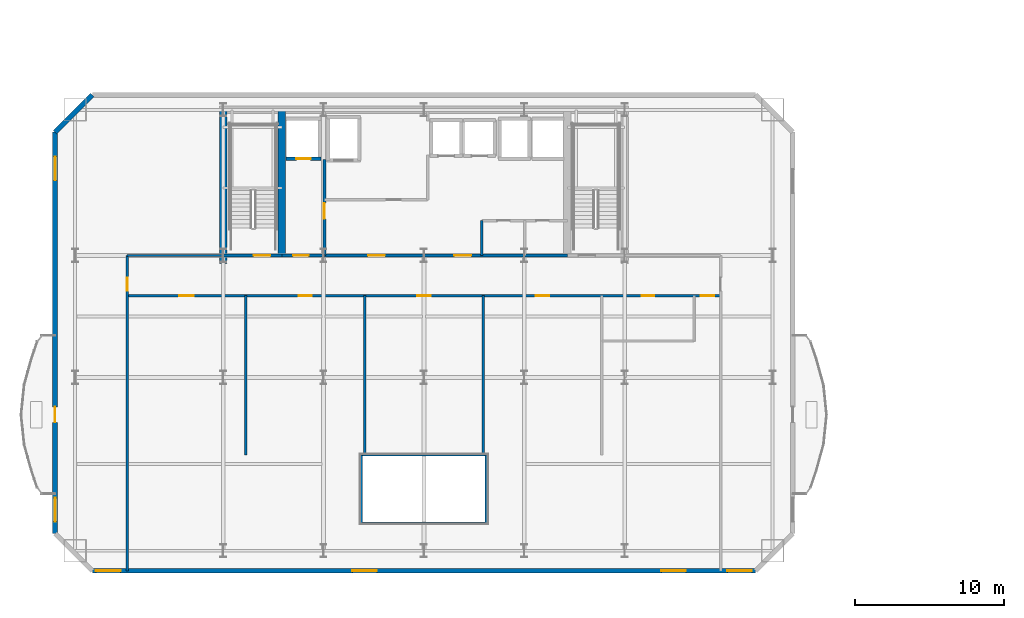
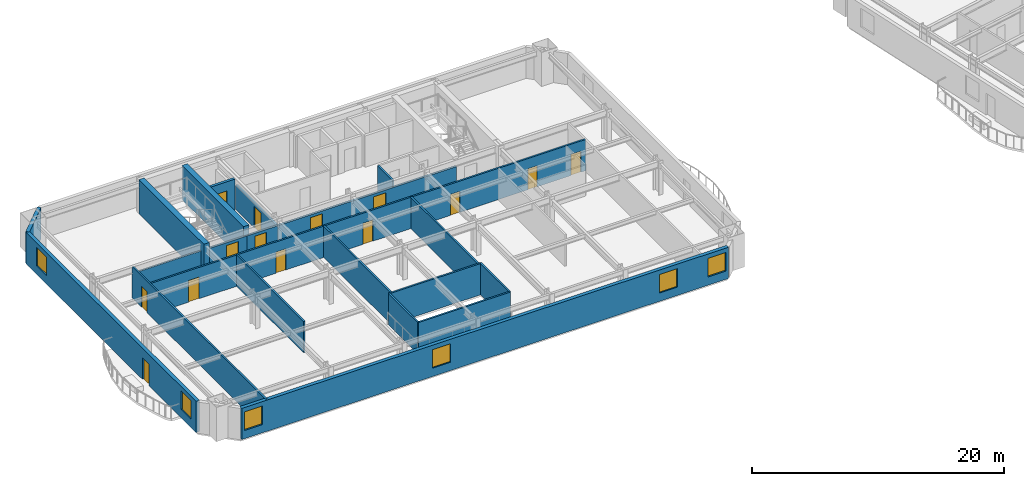
# One storey, part 5 of 14: 21 walls, 14 doors, 6 windows, 20 openings.
"""IFC4 building model written with IfcOpenShell, lengths in metres."""

from ifc_helpers import new_model, si_unit, direction, frame, frame_2d, origin, place, context, subcontext, project, spatial, rectangle, extrude, material, layer, layer_set, type_object, element, fill, save


model = new_model("IFC4")

# Units and contexts
model_context = context("Model", 3, precision=1e-05, world=origin(), true_north=direction((0.0, 1.0)))
body_context = subcontext(model_context, "Body", "Model", "MODEL_VIEW")
ifc_project = project(units=[si_unit("LENGTHUNIT", "METRE"), si_unit("AREAUNIT", "SQUARE_METRE"), si_unit("VOLUMEUNIT", "CUBIC_METRE"), si_unit("PLANEANGLEUNIT", "RADIAN"), si_unit("MASSUNIT", "GRAM", prefix="KILO")], contexts=[model_context])

# Site, building, storey
site_placement = place(None, origin())
site = spatial("IfcSite", under=ifc_project, at=site_placement, CompositionType="ELEMENT")
building_placement = place(site_placement, origin())
building = spatial("IfcBuilding", under=site, at=building_placement, Name="Haevon Station Towers", CompositionType="ELEMENT")
storey_placement = place(building_placement, frame((0.0, 0.0, 86.699951171875)))
storey = spatial("IfcBuildingStorey", under=building, at=storey_placement, Name="L22", CompositionType="ELEMENT", Elevation=86.699951171875)

# Wall, opening, door
ifc_material_1 = material(Name="Gypsum board on steel stud", Category="steel")
ifc_layer_1 = layer(ifc_material_1, 0.199951171875)
ifc_layer_set_1 = layer_set([ifc_layer_1], Name="Gypsum board on steel stud")
wall_type_1 = type_object("IfcWallType", Name="WL-COR200", PredefinedType="PARTITIONING", material=ifc_layer_set_1)
wall_1_placement = place(storey_placement, frame((24.0, 38.199951171875, 0.0), z_axis=(0.0, 0.0, 1.0), x_axis=(1.0, 0.0, 0.0)))
wall_1 = element("IfcWall", 1, at=wall_1_placement, inside=storey, type_object=wall_type_1, Name="WL-ST-ST1-L22", PredefinedType="PARTITIONING", context=body_context, shape_type="SweptSolid", body=[
    extrude(rectangle(XDim=3.949951171875, YDim=0.199951171875, at=frame_2d((1.97509765625, 0.0))), origin(), (0.0, 0.0, 1.0), 2.380126953125),
])
opening_1_placement = place(wall_1_placement, frame((2.050048828125, 0.0, 0.0)))
opening_1 = element("IfcOpeningElement", 2, at=opening_1_placement, cuts=wall_1, Name="Opening DR-ST-ST1-L22", PredefinedType="OPENING", context=body_context, shape_type="SweptSolid", body=[
    extrude(rectangle(XDim=1.1201171875, YDim=2.10009765625, at=frame_2d((0.56005859375, 1.050048828125))), frame((0.0, 0.10986328125, 0.0), z_axis=(0.0, -1.0, 0.0), x_axis=(1.0, 0.0, 0.0)), (0.0, 0.0, 1.0), 0.219970703125),
])
ifc_material_2 = material(Name="Engineered oak timber", Category="wood")
door_type_1 = type_object("IfcDoorType", Name="DR-ST-1120", OperationType="NOTDEFINED", PredefinedType="DOOR", material=ifc_material_2)
door_1_placement = place(opening_1_placement, origin())
door_1 = element("IfcDoor", 3, at=door_1_placement, inside=storey, type_object=door_type_1, Name="L22 Escape Stair ST1 Fire Door", OperationType="SINGLE_SWING_RIGHT", OverallHeight=2.10009765625, OverallWidth=1.1201171875, PredefinedType="DOOR", context=body_context, shape_type="SweptSolid", body=[
    extrude(rectangle(XDim=1.1201171875, YDim=2.10009765625, at=frame_2d((0.56005859375, 1.050048828125))), frame((0.0, 0.02490234375, 0.0), z_axis=(0.0, -1.0, 0.0), x_axis=(1.0, 0.0, 0.0)), (0.0, 0.0, 1.0), 0.050048828125),
])
fill(opening_1, door_1)

wall_2_placement = place(storey_placement, frame((30.800048828125, 38.199951171875, 0.0), z_axis=(0.0, 0.0, 1.0), x_axis=(0.0, 1.0, 0.0)))
wall_2 = element("IfcWall", 4, at=wall_2_placement, inside=storey, type_object=wall_type_1, Name="WL-T1FFL-L22-E", PredefinedType="PARTITIONING", context=body_context, shape_type="SweptSolid", body=[
    extrude(rectangle(XDim=6.449951171875, YDim=0.199951171875, at=frame_2d((3.22509765625, 0.0))), origin(), (0.0, 0.0, 1.0), 2.380126953125),
])
opening_2_placement = place(wall_2_placement, frame((2.469970703125, 0.0, 0.0)))
opening_2 = element("IfcOpeningElement", 5, at=opening_2_placement, cuts=wall_2, Name="Opening DR-T1FFL-L22-E", PredefinedType="OPENING", context=body_context, shape_type="SweptSolid", body=[
    extrude(rectangle(XDim=1.050048828125, YDim=2.10009765625, at=frame_2d((0.52490234375, 1.050048828125))), frame((0.0, 0.10986328125, 0.0), z_axis=(0.0, -1.0, 0.0), x_axis=(1.0, 0.0, 0.0)), (0.0, 0.0, 1.0), 0.219970703125),
])
door_type_2 = type_object("IfcDoorType", Name="DR-FD60-1050", OperationType="NOTDEFINED", PredefinedType="DOOR", material=ifc_material_2)
door_2_placement = place(opening_2_placement, origin())
door_2 = element("IfcDoor", 6, at=door_2_placement, inside=storey, type_object=door_type_2, Name="L22 Tower 1 Firefighting Lift Lobby Door E", OperationType="SINGLE_SWING_RIGHT", OverallHeight=2.10009765625, OverallWidth=1.050048828125, PredefinedType="DOOR", context=body_context, shape_type="SweptSolid", body=[
    extrude(rectangle(XDim=1.050048828125, YDim=2.10009765625, at=frame_2d((0.52490234375, 1.050048828125))), frame((0.0, 0.02490234375, 0.0), z_axis=(0.0, -1.0, 0.0), x_axis=(1.0, 0.0, 0.0)), (0.0, 0.0, 1.0), 0.050048828125),
])
fill(opening_2, door_2)

wall_3_placement = place(storey_placement, frame((27.949951171875, 38.199951171875, 0.0), z_axis=(0.0, 0.0, 1.0), x_axis=(1.0, 0.0, 0.0)))
wall_3 = element("IfcWall", 7, at=wall_3_placement, inside=storey, type_object=wall_type_1, Name="WL-T1FFL-L22-S", PredefinedType="PARTITIONING", context=body_context, shape_type="SweptSolid", body=[
    extrude(rectangle(XDim=2.85009765625, YDim=0.199951171875, at=frame_2d((1.425048828125, 0.0))), origin(), (0.0, 0.0, 1.0), 2.380126953125),
])
opening_3_placement = place(wall_3_placement, frame((0.75, 0.0, 0.0)))
opening_3 = element("IfcOpeningElement", 8, at=opening_3_placement, cuts=wall_3, Name="Opening DR-T1FFL-L22-S", PredefinedType="OPENING", context=body_context, shape_type="SweptSolid", body=[
    extrude(rectangle(XDim=1.050048828125, YDim=2.10009765625, at=frame_2d((0.52490234375, 1.050048828125))), frame((0.0, 0.10986328125, 0.0), z_axis=(0.0, -1.0, 0.0), x_axis=(1.0, 0.0, 0.0)), (0.0, 0.0, 1.0), 0.219970703125),
])
door_3_placement = place(opening_3_placement, origin())
door_3 = element("IfcDoor", 9, at=door_3_placement, inside=storey, type_object=door_type_2, Name="L22 Tower 1 Firefighting Lift Lobby Door S", OperationType="SINGLE_SWING_LEFT", OverallHeight=2.10009765625, OverallWidth=1.050048828125, PredefinedType="DOOR", context=body_context, shape_type="SweptSolid", body=[
    extrude(rectangle(XDim=1.050048828125, YDim=2.10009765625, at=frame_2d((0.52490234375, 1.050048828125))), frame((0.0, 0.02490234375, 0.0), z_axis=(0.0, -1.0, 0.0), x_axis=(1.0, 0.0, 0.0)), (0.0, 0.0, 1.0), 0.050048828125),
])
fill(opening_3, door_3)

# Wall, openings, doors
wall_4_placement = place(storey_placement, frame((30.800048828125, 38.199951171875, 0.0), z_axis=(0.0, 0.0, 1.0), x_axis=(1.0, 0.0, 0.0)))
wall_4 = element("IfcWall", 10, at=wall_4_placement, inside=storey, type_object=wall_type_1, Name="WL-T1CLB-L22", PredefinedType="PARTITIONING", context=body_context, shape_type="SweptSolid", body=[
    extrude(rectangle(XDim=16.349853515625, YDim=0.199951171875, at=frame_2d((8.1748046875, 0.0))), origin(), (0.0, 0.0, 1.0), 2.380126953125),
])
opening_4_placement = place(wall_4_placement, frame((2.949951171875, 0.0, 0.0)))
opening_4 = element("IfcOpeningElement", 11, at=opening_4_placement, cuts=wall_4, Name="Opening DR-T1CLB-L22-1", PredefinedType="OPENING", context=body_context, shape_type="SweptSolid", body=[
    extrude(rectangle(XDim=1.1201171875, YDim=2.10009765625, at=frame_2d((0.56005859375, 1.050048828125))), frame((0.0, 0.10986328125, 0.0), z_axis=(0.0, -1.0, 0.0), x_axis=(1.0, 0.0, 0.0)), (0.0, 0.0, 1.0), 0.219970703125),
])
opening_5_placement = place(wall_4_placement, frame((8.75, 0.0, 0.0)))
opening_5 = element("IfcOpeningElement", 12, at=opening_5_placement, cuts=wall_4, Name="Opening DR-T1CLB-L22-2", PredefinedType="OPENING", context=body_context, shape_type="SweptSolid", body=[
    extrude(rectangle(XDim=1.1201171875, YDim=2.10009765625, at=frame_2d((0.56005859375, 1.050048828125))), frame((0.0, 0.10986328125, 0.0), z_axis=(0.0, -1.0, 0.0), x_axis=(1.0, 0.0, 0.0)), (0.0, 0.0, 1.0), 0.219970703125),
])
door_4_placement = place(opening_4_placement, origin())
door_4 = element("IfcDoor", 13, at=door_4_placement, inside=storey, type_object=door_type_1, Name="L22 Tower 1 Core Lift Lobby Door 1", OperationType="SINGLE_SWING_RIGHT", OverallHeight=2.10009765625, OverallWidth=1.1201171875, PredefinedType="DOOR", context=body_context, shape_type="SweptSolid", body=[
    extrude(rectangle(XDim=1.1201171875, YDim=2.10009765625, at=frame_2d((0.56005859375, 1.050048828125))), frame((0.0, 0.02490234375, 0.0), z_axis=(0.0, -1.0, 0.0), x_axis=(1.0, 0.0, 0.0)), (0.0, 0.0, 1.0), 0.050048828125),
])
fill(opening_4, door_4)
door_5_placement = place(opening_5_placement, origin())
door_5 = element("IfcDoor", 14, at=door_5_placement, inside=storey, type_object=door_type_1, Name="L22 Tower 1 Core Lift Lobby Door 2", OperationType="SINGLE_SWING_LEFT", OverallHeight=2.10009765625, OverallWidth=1.1201171875, PredefinedType="DOOR", context=body_context, shape_type="SweptSolid", body=[
    extrude(rectangle(XDim=1.1201171875, YDim=2.10009765625, at=frame_2d((0.56005859375, 1.050048828125))), frame((0.0, 0.02490234375, 0.0), z_axis=(0.0, -1.0, 0.0), x_axis=(1.0, 0.0, 0.0)), (0.0, 0.0, 1.0), 0.050048828125),
])
fill(opening_5, door_5)

# Walls
ifc_material_3 = material(Name="Concrete C60/75", Category="concrete")
ifc_layer_2 = layer(ifc_material_3, 0.5)
ifc_layer_set_2 = layer_set([ifc_layer_2], Name="Concrete C60/75")
wall_type_2 = type_object("IfcWallType", Name="WL-CR500", PredefinedType="SHEAR", material=ifc_layer_set_2)
wall_5_placement = place(storey_placement, frame((24.0, 37.679931640625, 0.0), z_axis=(0.0, 0.0, 1.0), x_axis=(0.0, 1.0, 0.0)))
element("IfcWall", 15, at=wall_5_placement, inside=storey, type_object=wall_type_2, Name="WL-T1CR-L22-W", PredefinedType="SHEAR", context=body_context, shape_type="SweptSolid", body=[
    extrude(rectangle(XDim=10.320068359375, YDim=0.5, at=frame_2d((5.16015625, 0.0))), origin(), (0.0, 0.0, 1.0), 3.300048828125),
])
wall_6_placement = place(storey_placement, frame((27.949951171875, 38.199951171875, 0.0), z_axis=(0.0, 0.0, 1.0), x_axis=(0.0, 1.0, 0.0)))
element("IfcWall", 16, at=wall_6_placement, inside=storey, type_object=wall_type_2, Name="WL-T1CR-L22-M1", PredefinedType="SHEAR", context=body_context, shape_type="SweptSolid", body=[
    extrude(rectangle(XDim=9.800048828125, YDim=0.5, at=frame_2d((4.89990234375, 0.0))), origin(), (0.0, 0.0, 1.0), 3.300048828125),
])

# Wall, openings, windows
ifc_material_4 = material(Name="Precast concrete C45/55", Category="concrete")
ifc_layer_3 = layer(ifc_material_4, 0.320068359375)
ifc_layer_set_3 = layer_set([ifc_layer_3], Name="Precast concrete C45/55")
wall_type_3 = type_object("IfcWallType", Name="WL-EXT-PIER320", PredefinedType="SOLIDWALL", material=ifc_layer_set_3)
wall_7_placement = place(storey_placement, frame((59.800048828125, 17.0, 0.0), z_axis=(0.0, 0.0, 1.0), x_axis=(-1.0, 0.0, 0.0)))
wall_7 = element("IfcWall", 17, at=wall_7_placement, inside=storey, type_object=wall_type_3, Name="WL-T1-L22-S", PredefinedType="SOLIDWALL", context=body_context, shape_type="SweptSolid", body=[
    extrude(rectangle(XDim=44.60009765625, YDim=0.320068359375, at=frame_2d((22.300048828125, 0.0))), origin(), (0.0, 0.0, 1.0), 3.030029296875),
])
opening_6_placement = place(wall_7_placement, frame((42.699951171875, 0.0, 0.800048828125)))
opening_6 = element("IfcOpeningElement", 18, at=opening_6_placement, cuts=wall_7, Name="Opening WN-P165", PredefinedType="OPENING", context=body_context, shape_type="SweptSolid", body=[
    extrude(rectangle(XDim=1.64990234375, YDim=1.800048828125, at=frame_2d((0.824951171875, 0.89990234375))), frame((0.0, 0.169921875, 0.0), z_axis=(0.0, -1.0, 0.0), x_axis=(1.0, 0.0, 0.0)), (0.0, 0.0, 1.0), 0.340087890625),
])
opening_7_placement = place(wall_7_placement, frame((0.25, 0.0, 0.800048828125)))
opening_7 = element("IfcOpeningElement", 19, at=opening_7_placement, cuts=wall_7, Name="Opening WN-P165", PredefinedType="OPENING", context=body_context, shape_type="SweptSolid", body=[
    extrude(rectangle(XDim=1.64990234375, YDim=1.800048828125, at=frame_2d((0.824951171875, 0.89990234375))), frame((0.0, 0.169921875, 0.0), z_axis=(0.0, -1.0, 0.0), x_axis=(1.0, 0.0, 0.0)), (0.0, 0.0, 1.0), 0.340087890625),
])
opening_8_placement = place(wall_7_placement, frame((25.465087890625, 0.0, 0.800048828125)))
opening_8 = element("IfcOpeningElement", 20, at=opening_8_placement, cuts=wall_7, Name="Opening WN-P165", PredefinedType="OPENING", context=body_context, shape_type="SweptSolid", body=[
    extrude(rectangle(XDim=1.64990234375, YDim=1.800048828125, at=frame_2d((0.824951171875, 0.89990234375))), frame((0.0, 0.169921875, 0.0), z_axis=(0.0, -1.0, 0.0), x_axis=(1.0, 0.0, 0.0)), (0.0, 0.0, 1.0), 0.340087890625),
])
opening_9_placement = place(wall_7_placement, frame((4.679443359375, 0.0, 0.800048828125)))
opening_9 = element("IfcOpeningElement", 21, at=opening_9_placement, cuts=wall_7, Name="Opening WN-P165", PredefinedType="OPENING", context=body_context, shape_type="SweptSolid", body=[
    extrude(rectangle(XDim=1.64990234375, YDim=1.800048828125, at=frame_2d((0.824951171875, 0.89990234375))), frame((0.0, 0.169921875, 0.0), z_axis=(0.0, -1.0, 0.0), x_axis=(1.0, 0.0, 0.0)), (0.0, 0.0, 1.0), 0.340087890625),
])
ifc_material_5 = material(Name="Low-E triple glazing in thermally broken aluminium", Category="aluminium")
window_type_1 = type_object("IfcWindowType", Name="WN-P165", PartitioningType="SINGLE_PANEL", PredefinedType="WINDOW", material=ifc_material_5)
window_1_placement = place(opening_6_placement, origin())
window_1 = element("IfcWindow", 22, at=window_1_placement, inside=storey, type_object=window_type_1, Name="WN-T1-L22-S01", OverallHeight=1.800048828125, OverallWidth=1.64990234375, PartitioningType="SINGLE_PANEL", PredefinedType="WINDOW", context=body_context, shape_type="SweptSolid", body=[
    extrude(rectangle(XDim=1.64990234375, YDim=1.800048828125, at=frame_2d((0.824951171875, 0.89990234375))), frame((0.0, 0.030029296875, 0.0), z_axis=(0.0, -1.0, 0.0), x_axis=(1.0, 0.0, 0.0)), (0.0, 0.0, 1.0), 0.06005859375),
])
fill(opening_6, window_1)
window_2_placement = place(opening_7_placement, origin())
window_2 = element("IfcWindow", 23, at=window_2_placement, inside=storey, type_object=window_type_1, Name="WN-T1-L22-S02", OverallHeight=1.800048828125, OverallWidth=1.64990234375, PartitioningType="SINGLE_PANEL", PredefinedType="WINDOW", context=body_context, shape_type="SweptSolid", body=[
    extrude(rectangle(XDim=1.64990234375, YDim=1.800048828125, at=frame_2d((0.824951171875, 0.89990234375))), frame((0.0, 0.030029296875, 0.0), z_axis=(0.0, -1.0, 0.0), x_axis=(1.0, 0.0, 0.0)), (0.0, 0.0, 1.0), 0.06005859375),
])
fill(opening_7, window_2)
window_3_placement = place(opening_8_placement, origin())
window_3 = element("IfcWindow", 24, at=window_3_placement, inside=storey, type_object=window_type_1, Name="WN-T1-L22-S03", OverallHeight=1.800048828125, OverallWidth=1.64990234375, PartitioningType="SINGLE_PANEL", PredefinedType="WINDOW", context=body_context, shape_type="SweptSolid", body=[
    extrude(rectangle(XDim=1.64990234375, YDim=1.800048828125, at=frame_2d((0.824951171875, 0.89990234375))), frame((0.0, 0.030029296875, 0.0), z_axis=(0.0, -1.0, 0.0), x_axis=(1.0, 0.0, 0.0)), (0.0, 0.0, 1.0), 0.06005859375),
])
fill(opening_8, window_3)
window_4_placement = place(opening_9_placement, origin())
window_4 = element("IfcWindow", 25, at=window_4_placement, inside=storey, type_object=window_type_1, Name="WN-T1-L22-S04", OverallHeight=1.800048828125, OverallWidth=1.64990234375, PartitioningType="SINGLE_PANEL", PredefinedType="WINDOW", context=body_context, shape_type="SweptSolid", body=[
    extrude(rectangle(XDim=1.64990234375, YDim=1.800048828125, at=frame_2d((0.824951171875, 0.89990234375))), frame((0.0, 0.030029296875, 0.0), z_axis=(0.0, -1.0, 0.0), x_axis=(1.0, 0.0, 0.0)), (0.0, 0.0, 1.0), 0.06005859375),
])
fill(opening_9, window_4)

# Wall, openings, door, windows
wall_8_placement = place(storey_placement, frame((12.699951171875, 19.5, 0.0), z_axis=(0.0, 0.0, 1.0), x_axis=(0.0, 1.0, 0.0)))
wall_8 = element("IfcWall", 26, at=wall_8_placement, inside=storey, type_object=wall_type_3, Name="WL-T1-L22-W", PredefinedType="SOLIDWALL", context=body_context, shape_type="SweptSolid", body=[
    extrude(rectangle(XDim=27.0, YDim=0.320068359375, at=frame_2d((13.5, 0.0))), origin(), (0.0, 0.0, 1.0), 3.030029296875),
])
opening_10_placement = place(wall_8_placement, frame((7.47509765625, 0.0, 0.0)))
opening_10 = element("IfcOpeningElement", 27, at=opening_10_placement, cuts=wall_8, Name="Opening DR-T1-SCAL-L22-W", PredefinedType="OPENING", context=body_context, shape_type="SweptSolid", body=[
    extrude(rectangle(XDim=1.050048828125, YDim=2.10009765625, at=frame_2d((0.52490234375, 1.050048828125))), frame((0.0, 0.169921875, 0.0), z_axis=(0.0, -1.0, 0.0), x_axis=(1.0, 0.0, 0.0)), (0.0, 0.0, 1.0), 0.340087890625),
])
opening_11_placement = place(wall_8_placement, frame((0.800048828125, 0.0, 0.800048828125)))
opening_11 = element("IfcOpeningElement", 28, at=opening_11_placement, cuts=wall_8, Name="Opening WN-END160", PredefinedType="OPENING", context=body_context, shape_type="SweptSolid", body=[
    extrude(rectangle(XDim=1.60009765625, YDim=1.800048828125, at=frame_2d((0.800048828125, 0.89990234375))), frame((0.0, 0.169921875, 0.0), z_axis=(0.0, -1.0, 0.0), x_axis=(1.0, 0.0, 0.0)), (0.0, 0.0, 1.0), 0.340087890625),
])
opening_12_placement = place(wall_8_placement, frame((23.75, 0.0, 0.800048828125)))
opening_12 = element("IfcOpeningElement", 29, at=opening_12_placement, cuts=wall_8, Name="Opening WN-END160", PredefinedType="OPENING", context=body_context, shape_type="SweptSolid", body=[
    extrude(rectangle(XDim=1.60009765625, YDim=1.800048828125, at=frame_2d((0.800048828125, 0.89990234375))), frame((0.0, 0.169921875, 0.0), z_axis=(0.0, -1.0, 0.0), x_axis=(1.0, 0.0, 0.0)), (0.0, 0.0, 1.0), 0.340087890625),
])
ifc_material_6 = material(Name="Thermally broken anodised aluminium and laminated safety glass", Category="aluminium")
door_type_3 = type_object("IfcDoorType", Name="DR-BALC-1050", OperationType="NOTDEFINED", PredefinedType="DOOR", material=ifc_material_6)
door_6_placement = place(opening_10_placement, origin())
door_6 = element("IfcDoor", 30, at=door_6_placement, inside=storey, type_object=door_type_3, Name="Tower 1 L22 West Scalloped Balcony Door", OperationType="SINGLE_SWING_RIGHT", OverallHeight=2.10009765625, OverallWidth=1.050048828125, PredefinedType="DOOR", context=body_context, shape_type="SweptSolid", body=[
    extrude(rectangle(XDim=1.050048828125, YDim=2.10009765625, at=frame_2d((0.52490234375, 1.050048828125))), frame((0.0, 0.02490234375, 0.0), z_axis=(0.0, -1.0, 0.0), x_axis=(1.0, 0.0, 0.0)), (0.0, 0.0, 1.0), 0.050048828125),
])
fill(opening_10, door_6)
window_type_2 = type_object("IfcWindowType", Name="WN-END160", PartitioningType="SINGLE_PANEL", PredefinedType="WINDOW", material=ifc_material_5)
window_5_placement = place(opening_11_placement, origin())
window_5 = element("IfcWindow", 31, at=window_5_placement, inside=storey, type_object=window_type_2, Name="WN-T1-L22-W01", OverallHeight=1.800048828125, OverallWidth=1.60009765625, PartitioningType="SINGLE_PANEL", PredefinedType="WINDOW", context=body_context, shape_type="SweptSolid", body=[
    extrude(rectangle(XDim=1.60009765625, YDim=1.800048828125, at=frame_2d((0.800048828125, 0.89990234375))), frame((0.0, 0.030029296875, 0.0), z_axis=(0.0, -1.0, 0.0), x_axis=(1.0, 0.0, 0.0)), (0.0, 0.0, 1.0), 0.06005859375),
])
fill(opening_11, window_5)
window_6_placement = place(opening_12_placement, origin())
window_6 = element("IfcWindow", 32, at=window_6_placement, inside=storey, type_object=window_type_2, Name="WN-T1-L22-W02", OverallHeight=1.800048828125, OverallWidth=1.60009765625, PartitioningType="SINGLE_PANEL", PredefinedType="WINDOW", context=body_context, shape_type="SweptSolid", body=[
    extrude(rectangle(XDim=1.60009765625, YDim=1.800048828125, at=frame_2d((0.800048828125, 0.89990234375))), frame((0.0, 0.030029296875, 0.0), z_axis=(0.0, -1.0, 0.0), x_axis=(1.0, 0.0, 0.0)), (0.0, 0.0, 1.0), 0.06005859375),
])
fill(opening_12, window_6)

# Walls
wall_9_placement = place(storey_placement, frame((12.699951171875, 46.5, 0.0), z_axis=(0.0, 0.0, 1.0), x_axis=(0.707106781187, 0.707106781187, 0.0)))
element("IfcWall", 33, at=wall_9_placement, inside=storey, type_object=wall_type_3, Name="WL-T1-L22-NWC", PredefinedType="SOLIDWALL", context=body_context, shape_type="SweptSolid", body=[
    extrude(rectangle(XDim=3.53564453125, YDim=0.320068359375, at=frame_2d((1.767822265625, 0.0))), origin(), (0.0, 0.0, 1.0), 3.030029296875),
])
ifc_layer_4 = layer(ifc_material_1, 0.159912109375)
ifc_layer_set_4 = layer_set([ifc_layer_4], Name="Gypsum board on steel stud")
wall_type_4 = type_object("IfcWallType", Name="WL-PRT160", PredefinedType="PARTITIONING", material=ifc_layer_set_4)
wall_10_placement = place(storey_placement, frame((41.39990234375, 38.199951171875, 0.0), z_axis=(0.0, 0.0, 1.0), x_axis=(0.0, 1.0, 0.0)))
element("IfcWall", 34, at=wall_10_placement, inside=storey, type_object=wall_type_4, Name="WL-T1CW-L22-04", PredefinedType="PARTITIONING", context=body_context, shape_type="SweptSolid", body=[
    extrude(rectangle(XDim=2.35009765625, YDim=0.159912109375, at=frame_2d((1.175048828125, 0.0))), origin(), (0.0, 0.0, 1.0), 3.030029296875),
])
wall_11_placement = place(storey_placement, frame((17.550048828125, 38.199951171875, 0.0), z_axis=(0.0, 0.0, 1.0), x_axis=(1.0, 0.0, 0.0)))
element("IfcWall", 35, at=wall_11_placement, inside=storey, type_object=wall_type_4, Name="WL-T1PT-L22-01", PredefinedType="PARTITIONING", context=body_context, shape_type="SweptSolid", body=[
    extrude(rectangle(XDim=6.449951171875, YDim=0.159912109375, at=frame_2d((3.22509765625, 0.0))), origin(), (0.0, 0.0, 1.0), 2.380126953125),
])

# Wall, opening, door
wall_12_placement = place(storey_placement, frame((17.550048828125, 17.0, 0.0), z_axis=(0.0, 0.0, 1.0), x_axis=(0.0, 1.0, 0.0)))
wall_12 = element("IfcWall", 36, at=wall_12_placement, inside=storey, type_object=wall_type_4, Name="WL-T1PT-L22-03", PredefinedType="PARTITIONING", context=body_context, shape_type="SweptSolid", body=[
    extrude(rectangle(XDim=21.199951171875, YDim=0.159912109375, at=frame_2d((10.60009765625, 0.0))), origin(), (0.0, 0.0, 1.0), 3.030029296875),
])
opening_13_placement = place(wall_12_placement, frame((18.820068359375, 0.0, 0.0)))
opening_13 = element("IfcOpeningElement", 37, at=opening_13_placement, cuts=wall_12, Name="Opening DR-WL-T1PT-L22-03-01", PredefinedType="OPENING", context=body_context, shape_type="SweptSolid", body=[
    extrude(rectangle(XDim=0.89990234375, YDim=2.050048828125, at=frame_2d((0.449951171875, 1.02490234375))), frame((0.0, 0.08984375, 0.0), z_axis=(0.0, -1.0, 0.0), x_axis=(1.0, 0.0, 0.0)), (0.0, 0.0, 1.0), 0.179931640625),
])
door_type_4 = type_object("IfcDoorType", Name="DR-INT-900", OperationType="NOTDEFINED", PredefinedType="DOOR", material=ifc_material_2)
door_7_placement = place(opening_13_placement, origin())
door_7 = element("IfcDoor", 38, at=door_7_placement, inside=storey, type_object=door_type_4, Name="L22 Tower 1 Room Door 3-1", OperationType="SINGLE_SWING_LEFT", OverallHeight=2.050048828125, OverallWidth=0.89990234375, PredefinedType="DOOR", context=body_context, shape_type="SweptSolid", body=[
    extrude(rectangle(XDim=0.89990234375, YDim=2.050048828125, at=frame_2d((0.449951171875, 1.02490234375))), frame((0.0, 0.02490234375, 0.0), z_axis=(0.0, -1.0, 0.0), x_axis=(1.0, 0.0, 0.0)), (0.0, 0.0, 1.0), 0.050048828125),
])
fill(opening_13, door_7)

# Walls
for number, where, z_axis, x_axis, name in (
    (39, (33.300048828125, 20.199951171875, 0.0), (0.0, 0.0, 1.0), (1.0, 0.0, 0.0), "WL-T1PT-L22-05"),
    (40, (33.300048828125, 24.800048828125, 0.0), (0.0, 0.0, 1.0), (1.0, 0.0, 0.0), "WL-T1PT-L22-06"),
):
    element("IfcWall", number, at=place(storey_placement, frame(where, z_axis=z_axis, x_axis=x_axis)), inside=storey, type_object=wall_type_4, Name=name, PredefinedType="PARTITIONING", context=body_context, shape_type="SweptSolid", body=[
        extrude(rectangle(XDim=8.39990234375, YDim=0.159912109375, at=frame_2d((4.199951171875, 0.0))), origin(), (0.0, 0.0, 1.0), 3.030029296875),
    ])
for number, where, z_axis, x_axis, name in (
    (41, (33.300048828125, 20.199951171875, 0.0), (0.0, 0.0, 1.0), (0.0, 1.0, 0.0), "WL-T1PT-L22-07"),
    (42, (41.699951171875, 20.199951171875, 0.0), (0.0, 0.0, 1.0), (0.0, 1.0, 0.0), "WL-T1PT-L22-08"),
):
    element("IfcWall", number, at=place(storey_placement, frame(where, z_axis=z_axis, x_axis=x_axis)), inside=storey, type_object=wall_type_4, Name=name, PredefinedType="PARTITIONING", context=body_context, shape_type="SweptSolid", body=[
        extrude(rectangle(XDim=4.60009765625, YDim=0.159912109375, at=frame_2d((2.300048828125, 0.0))), origin(), (0.0, 0.0, 1.0), 3.030029296875),
    ])
for number, where, z_axis, x_axis, name in (
    (43, (25.530029296875, 24.800048828125, 0.0), (0.0, 0.0, 1.0), (0.0, 1.0, 0.0), "WL-T1PT-L22-09"),
    (44, (33.510009765625, 24.800048828125, 0.0), (0.0, 0.0, 1.0), (0.0, 1.0, 0.0), "WL-T1PT-L22-10"),
    (45, (41.489990234375, 24.800048828125, 0.0), (0.0, 0.0, 1.0), (0.0, 1.0, 0.0), "WL-T1PT-L22-12"),
):
    element("IfcWall", number, at=place(storey_placement, frame(where, z_axis=z_axis, x_axis=x_axis)), inside=storey, type_object=wall_type_4, Name=name, PredefinedType="PARTITIONING", context=body_context, shape_type="SweptSolid", body=[
        extrude(rectangle(XDim=10.699951171875, YDim=0.159912109375, at=frame_2d((5.35009765625, 0.0))), origin(), (0.0, 0.0, 1.0), 3.030029296875),
    ])

# Wall, openings, doors
wall_13_placement = place(storey_placement, frame((17.550048828125, 35.5, 0.0), z_axis=(0.0, 0.0, 1.0), x_axis=(1.0, 0.0, 0.0)))
wall_13 = element("IfcWall", 46, at=wall_13_placement, inside=storey, type_object=wall_type_4, Name="WL-T1PT-L22-18", PredefinedType="PARTITIONING", context=body_context, shape_type="SweptSolid", body=[
    extrude(rectangle(XDim=39.89990234375, YDim=0.159912109375, at=frame_2d((19.949951171875, 0.0))), origin(), (0.0, 0.0, 1.0), 3.030029296875),
])
opening_14_placement = place(wall_13_placement, frame((3.514892578125, 0.0, 0.0)))
opening_14 = element("IfcOpeningElement", 47, at=opening_14_placement, cuts=wall_13, Name="Opening DR-WL-T1PT-L22-18-01", PredefinedType="OPENING", context=body_context, shape_type="SweptSolid", body=[
    extrude(rectangle(XDim=0.949951171875, YDim=2.10009765625, at=frame_2d((0.47509765625, 1.050048828125))), frame((0.0, 0.08984375, 0.0), z_axis=(0.0, -1.0, 0.0), x_axis=(1.0, 0.0, 0.0)), (0.0, 0.0, 1.0), 0.179931640625),
])
opening_15_placement = place(wall_13_placement, frame((11.52001953125, 0.0, 0.0)))
opening_15 = element("IfcOpeningElement", 48, at=opening_15_placement, cuts=wall_13, Name="Opening DR-WL-T1PT-L22-18-02", PredefinedType="OPENING", context=body_context, shape_type="SweptSolid", body=[
    extrude(rectangle(XDim=0.89990234375, YDim=2.050048828125, at=frame_2d((0.449951171875, 1.02490234375))), frame((0.0, 0.08984375, 0.0), z_axis=(0.0, -1.0, 0.0), x_axis=(1.0, 0.0, 0.0)), (0.0, 0.0, 1.0), 0.179931640625),
])
opening_16_placement = place(wall_13_placement, frame((19.5, 0.0, 0.0)))
opening_16 = element("IfcOpeningElement", 49, at=opening_16_placement, cuts=wall_13, Name="Opening DR-WL-T1PT-L22-18-03", PredefinedType="OPENING", context=body_context, shape_type="SweptSolid", body=[
    extrude(rectangle(XDim=0.89990234375, YDim=2.050048828125, at=frame_2d((0.449951171875, 1.02490234375))), frame((0.0, 0.08984375, 0.0), z_axis=(0.0, -1.0, 0.0), x_axis=(1.0, 0.0, 0.0)), (0.0, 0.0, 1.0), 0.179931640625),
])
opening_17_placement = place(wall_13_placement, frame((27.47998046875, 0.0, 0.0)))
opening_17 = element("IfcOpeningElement", 50, at=opening_17_placement, cuts=wall_13, Name="Opening DR-WL-T1PT-L22-18-04", PredefinedType="OPENING", context=body_context, shape_type="SweptSolid", body=[
    extrude(rectangle(XDim=0.89990234375, YDim=2.050048828125, at=frame_2d((0.449951171875, 1.02490234375))), frame((0.0, 0.08984375, 0.0), z_axis=(0.0, -1.0, 0.0), x_axis=(1.0, 0.0, 0.0)), (0.0, 0.0, 1.0), 0.179931640625),
])
opening_18_placement = place(wall_13_placement, frame((34.594970703125, 0.0, 0.0)))
opening_18 = element("IfcOpeningElement", 51, at=opening_18_placement, cuts=wall_13, Name="Opening DR-WL-T1PT-L22-18-05", PredefinedType="OPENING", context=body_context, shape_type="SweptSolid", body=[
    extrude(rectangle(XDim=0.85009765625, YDim=2.050048828125, at=frame_2d((0.425048828125, 1.02490234375))), frame((0.0, 0.08984375, 0.0), z_axis=(0.0, -1.0, 0.0), x_axis=(1.0, 0.0, 0.0)), (0.0, 0.0, 1.0), 0.179931640625),
])
opening_19_placement = place(wall_13_placement, frame((38.56005859375, 0.0, 0.0)))
opening_19 = element("IfcOpeningElement", 52, at=opening_19_placement, cuts=wall_13, Name="Opening DR-WL-T1PT-L22-18-06", PredefinedType="OPENING", context=body_context, shape_type="SweptSolid", body=[
    extrude(rectangle(XDim=0.89990234375, YDim=2.050048828125, at=frame_2d((0.449951171875, 1.02490234375))), frame((0.0, 0.08984375, 0.0), z_axis=(0.0, -1.0, 0.0), x_axis=(1.0, 0.0, 0.0)), (0.0, 0.0, 1.0), 0.179931640625),
])
door_type_5 = type_object("IfcDoorType", Name="DR-FD30-850", OperationType="NOTDEFINED", PredefinedType="DOOR", material=ifc_material_2)
door_8_placement = place(opening_18_placement, origin())
door_8 = element("IfcDoor", 53, at=door_8_placement, inside=storey, type_object=door_type_5, Name="L22 Tower 1 Room Door 18-5", OperationType="SINGLE_SWING_LEFT", OverallHeight=2.050048828125, OverallWidth=0.85009765625, PredefinedType="DOOR", context=body_context, shape_type="SweptSolid", body=[
    extrude(rectangle(XDim=0.85009765625, YDim=2.050048828125, at=frame_2d((0.425048828125, 1.02490234375))), frame((0.0, 0.02490234375, 0.0), z_axis=(0.0, -1.0, 0.0), x_axis=(1.0, 0.0, 0.0)), (0.0, 0.0, 1.0), 0.050048828125),
])
fill(opening_18, door_8)
door_type_6 = type_object("IfcDoorType", Name="DR-FD30-950", OperationType="NOTDEFINED", PredefinedType="DOOR", material=ifc_material_2)
door_9_placement = place(opening_14_placement, origin())
door_9 = element("IfcDoor", 54, at=door_9_placement, inside=storey, type_object=door_type_6, Name="L22 Tower 1 Room Door 18-1", OperationType="SINGLE_SWING_LEFT", OverallHeight=2.10009765625, OverallWidth=0.949951171875, PredefinedType="DOOR", context=body_context, shape_type="SweptSolid", body=[
    extrude(rectangle(XDim=0.949951171875, YDim=2.10009765625, at=frame_2d((0.47509765625, 1.050048828125))), frame((0.0, 0.02490234375, 0.0), z_axis=(0.0, -1.0, 0.0), x_axis=(1.0, 0.0, 0.0)), (0.0, 0.0, 1.0), 0.050048828125),
])
fill(opening_14, door_9)
door_10_placement = place(opening_15_placement, origin())
door_10 = element("IfcDoor", 55, at=door_10_placement, inside=storey, type_object=door_type_4, Name="L22 Tower 1 Room Door 18-2", OperationType="SINGLE_SWING_RIGHT", OverallHeight=2.050048828125, OverallWidth=0.89990234375, PredefinedType="DOOR", context=body_context, shape_type="SweptSolid", body=[
    extrude(rectangle(XDim=0.89990234375, YDim=2.050048828125, at=frame_2d((0.449951171875, 1.02490234375))), frame((0.0, 0.02490234375, 0.0), z_axis=(0.0, -1.0, 0.0), x_axis=(1.0, 0.0, 0.0)), (0.0, 0.0, 1.0), 0.050048828125),
])
fill(opening_15, door_10)
door_11_placement = place(opening_16_placement, origin())
door_11 = element("IfcDoor", 56, at=door_11_placement, inside=storey, type_object=door_type_4, Name="L22 Tower 1 Room Door 18-3", OperationType="SINGLE_SWING_LEFT", OverallHeight=2.050048828125, OverallWidth=0.89990234375, PredefinedType="DOOR", context=body_context, shape_type="SweptSolid", body=[
    extrude(rectangle(XDim=0.89990234375, YDim=2.050048828125, at=frame_2d((0.449951171875, 1.02490234375))), frame((0.0, 0.02490234375, 0.0), z_axis=(0.0, -1.0, 0.0), x_axis=(1.0, 0.0, 0.0)), (0.0, 0.0, 1.0), 0.050048828125),
])
fill(opening_16, door_11)
door_12_placement = place(opening_17_placement, origin())
door_12 = element("IfcDoor", 57, at=door_12_placement, inside=storey, type_object=door_type_4, Name="L22 Tower 1 Room Door 18-4", OperationType="SINGLE_SWING_RIGHT", OverallHeight=2.050048828125, OverallWidth=0.89990234375, PredefinedType="DOOR", context=body_context, shape_type="SweptSolid", body=[
    extrude(rectangle(XDim=0.89990234375, YDim=2.050048828125, at=frame_2d((0.449951171875, 1.02490234375))), frame((0.0, 0.02490234375, 0.0), z_axis=(0.0, -1.0, 0.0), x_axis=(1.0, 0.0, 0.0)), (0.0, 0.0, 1.0), 0.050048828125),
])
fill(opening_17, door_12)
door_13_placement = place(opening_19_placement, origin())
door_13 = element("IfcDoor", 58, at=door_13_placement, inside=storey, type_object=door_type_4, Name="L22 Tower 1 Room Door 18-6", OperationType="SINGLE_SWING_RIGHT", OverallHeight=2.050048828125, OverallWidth=0.89990234375, PredefinedType="DOOR", context=body_context, shape_type="SweptSolid", body=[
    extrude(rectangle(XDim=0.89990234375, YDim=2.050048828125, at=frame_2d((0.449951171875, 1.02490234375))), frame((0.0, 0.02490234375, 0.0), z_axis=(0.0, -1.0, 0.0), x_axis=(1.0, 0.0, 0.0)), (0.0, 0.0, 1.0), 0.050048828125),
])
fill(opening_19, door_13)

# Wall, opening, door
ifc_material_7 = material(Name="Concrete C40/50", Category="concrete")
ifc_layer_5 = layer(ifc_material_7, 0.239990234375)
ifc_layer_set_5 = layer_set([ifc_layer_5], Name="Concrete C40/50")
wall_type_5 = type_object("IfcWallType", Name="WL-SHF240", PredefinedType="PARTITIONING", material=ifc_layer_set_5)
wall_14_placement = place(storey_placement, frame((28.219970703125, 44.699951171875, 0.0), z_axis=(0.0, 0.0, 1.0), x_axis=(1.0, 0.0, 0.0)))
wall_14 = element("IfcWall", 59, at=wall_14_placement, inside=storey, type_object=wall_type_5, Name="WL-SHF-FL1-L22", PredefinedType="PARTITIONING", context=body_context, shape_type="SweptSolid", body=[
    extrude(rectangle(XDim=2.360107421875, YDim=0.239990234375, at=frame_2d((1.18017578125, 0.0))), origin(), (0.0, 0.0, 1.0), 3.030029296875),
])
opening_20_placement = place(wall_14_placement, frame((0.705078125, 0.0, 0.0)))
opening_20 = element("IfcOpeningElement", 60, at=opening_20_placement, cuts=wall_14, Name="Opening LD-FL1-L22", PredefinedType="OPENING", context=body_context, shape_type="SweptSolid", body=[
    extrude(rectangle(XDim=0.949951171875, YDim=2.14990234375, at=frame_2d((0.47509765625, 1.074951171875))), frame((0.0, 0.1298828125, 0.0), z_axis=(0.0, -1.0, 0.0), x_axis=(1.0, 0.0, 0.0)), (0.0, 0.0, 1.0), 0.260009765625),
])
ifc_material_8 = material(Name="Stainless steel and rated core", Category="steel")
door_type_7 = type_object("IfcDoorType", Name="LD-FL950", OperationType="SLIDING_TO_LEFT", PredefinedType="DOOR", material=ifc_material_8)
door_14_placement = place(opening_20_placement, origin())
door_14 = element("IfcDoor", 61, at=door_14_placement, inside=storey, type_object=door_type_7, Name="L22 Lift FL1 Sliding Landing Door", OperationType="SLIDING_TO_LEFT", OverallHeight=2.14990234375, OverallWidth=0.949951171875, PredefinedType="DOOR", context=body_context, shape_type="SweptSolid", body=[
    extrude(rectangle(XDim=0.949951171875, YDim=2.14990234375, at=frame_2d((0.47509765625, 1.074951171875))), frame((0.0, 0.02490234375, 0.0), z_axis=(0.0, -1.0, 0.0), x_axis=(1.0, 0.0, 0.0)), (0.0, 0.0, 1.0), 0.050048828125),
])
fill(opening_20, door_14)

save(model, "model.ifc")
